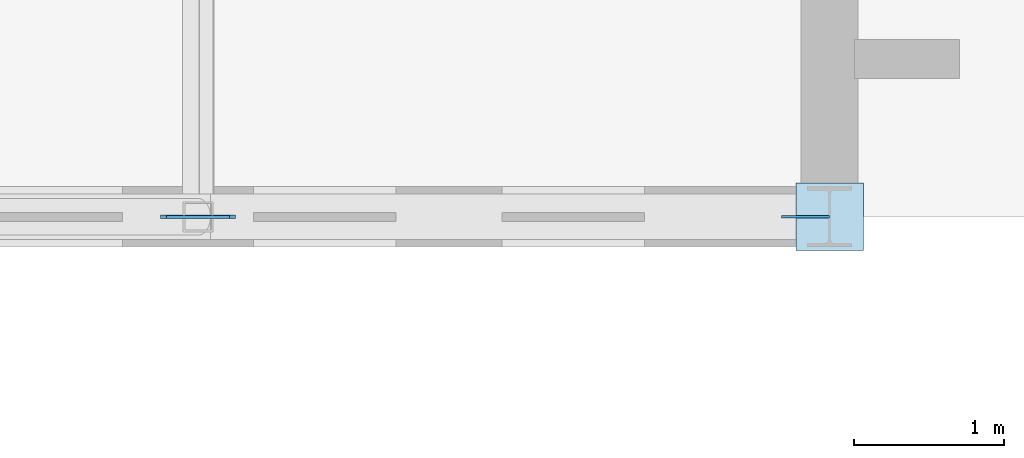
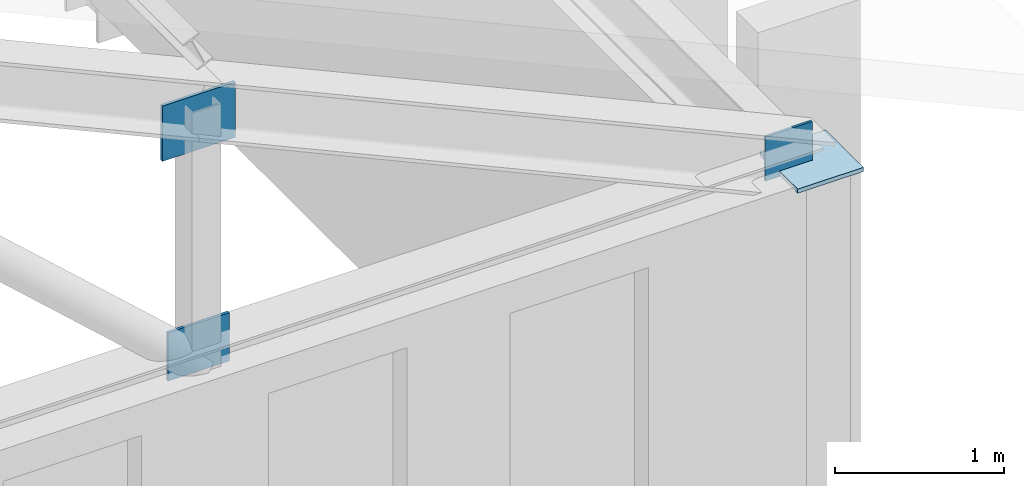
# One storey, part 65 of 110: 4 plates.
"""IFC4 building model written with IfcOpenShell, lengths in metres."""

from ifc_helpers import new_model, si_unit, direction, frame, origin, origin_2d, place, context, subcontext, project, spatial, rectangle, extrude, material, layer, layer_set, type_object, element, save


model = new_model("IFC4")

# Units and contexts
model_context = context("Model", 3, precision=1e-05, world=origin(), true_north=direction((0.0, 1.0)))
body_context = subcontext(model_context, "Body", "Model", "MODEL_VIEW")
ifc_project = project(units=[si_unit("LENGTHUNIT", "METRE"), si_unit("AREAUNIT", "SQUARE_METRE"), si_unit("VOLUMEUNIT", "CUBIC_METRE"), si_unit("PLANEANGLEUNIT", "RADIAN"), si_unit("MASSUNIT", "GRAM", prefix="KILO")], contexts=[model_context])

# Site, building, storey
site_placement = place(None, origin())
site = spatial("IfcSite", under=ifc_project, at=site_placement, CompositionType="ELEMENT")
building_placement = place(site_placement, origin())
building = spatial("IfcBuilding", under=site, at=building_placement, Name="Kveldsbrygga Polytechnic", CompositionType="ELEMENT")
storey_placement = place(building_placement, frame((0.0, 0.0, 9.860107421875)))
storey = spatial("IfcBuildingStorey", under=building, at=storey_placement, Name="L02", CompositionType="ELEMENT", Elevation=9.860107421875)

# Plates
ifc_material = material(Name="Steel S355", Category="steel")
ifc_layer_1 = layer(ifc_material, 0.030029296875)
ifc_layer_set_1 = layer_set([ifc_layer_1], Name="Steel S355")
plate_type_1 = type_object("IfcPlateType", Name="CAP-BEAR-450", PredefinedType="SHEET", material=ifc_layer_set_1)
plate_1_placement = place(storey_placement, frame((33.60009765625, 25.199951171875, 3.75), z_axis=(0.0, 0.0, 1.0), x_axis=(1.0, 0.0, 0.0)))
element("IfcPlate", 1, at=plate_1_placement, inside=storey, type_object=plate_type_1, Name="Truss Bearing Plate V1W-T01-B", PredefinedType="SHEET", context=body_context, shape_type="SweptSolid", body=[
    extrude(rectangle(XDim=0.449951171875, YDim=0.449951171875, at=origin_2d()), origin(), (0.0, 0.0, 1.0), 0.030029296875),
])
ifc_layer_2 = layer(ifc_material, 0.01806640625)
ifc_layer_set_2 = layer_set([ifc_layer_2], Name="Steel S355")
plate_type_2 = type_object("IfcPlateType", Name="GUS-BRACE-320", PredefinedType="SHEET", material=ifc_layer_set_2)
plate_2_placement = place(storey_placement, frame((33.43994140625, 25.199951171875, 3.73974609375), z_axis=(0.0, 0.0, 1.0), x_axis=(1.0, 0.0, 0.0)))
element("IfcPlate", 2, at=plate_2_placement, inside=storey, type_object=plate_type_2, Name="Truss Eaves Node Gusset V1W-T01-EGP-B", PredefinedType="SHEET", context=body_context, shape_type="SweptSolid", body=[
    extrude(rectangle(XDim=0.320068359375, YDim=0.01806640625, at=origin_2d()), origin(), (0.0, 0.0, 1.0), 0.320068359375),
])
ifc_layer_3 = layer(ifc_material, 0.02001953125)
ifc_layer_set_3 = layer_set([ifc_layer_3], Name="Steel S355")
plate_type_3 = type_object("IfcPlateType", Name="GUS-LECT-420", PredefinedType="SHEET", material=ifc_layer_set_3)
plate_3_placement = place(storey_placement, frame((29.39990234375, 25.199951171875, 3.724853515625), z_axis=(0.0, 0.0, 1.0), x_axis=(1.0, 0.0, 0.0)))
element("IfcPlate", 3, at=plate_3_placement, inside=storey, type_object=plate_type_3, Name="Truss Bottom-Chord Node Gusset V1W-T01-BGP-7", PredefinedType="SHEET", context=body_context, shape_type="SweptSolid", body=[
    extrude(rectangle(XDim=0.419921875, YDim=0.02001953125, at=origin_2d()), origin(), (0.0, 0.0, 1.0), 0.35009765625),
])
ifc_layer_4 = layer(ifc_material, 0.02197265625)
ifc_layer_set_4 = layer_set([ifc_layer_4], Name="Steel S355")
plate_type_4 = type_object("IfcPlateType", Name="GUS-NODE-500", PredefinedType="SHEET", material=ifc_layer_set_4)
plate_4_placement = place(storey_placement, frame((29.39990234375, 25.199951171875, 5.329833984375), z_axis=(0.0, 0.0, 1.0), x_axis=(1.0, 0.0, 0.0)))
element("IfcPlate", 4, at=plate_4_placement, inside=storey, type_object=plate_type_4, Name="Truss Gusset Plate V1W-T01-GP-7", PredefinedType="SHEET", context=body_context, shape_type="SweptSolid", body=[
    extrude(rectangle(XDim=0.5, YDim=0.02197265625, at=origin_2d()), origin(), (0.0, 0.0, 1.0), 0.39990234375),
])

save(model, "model.ifc")
